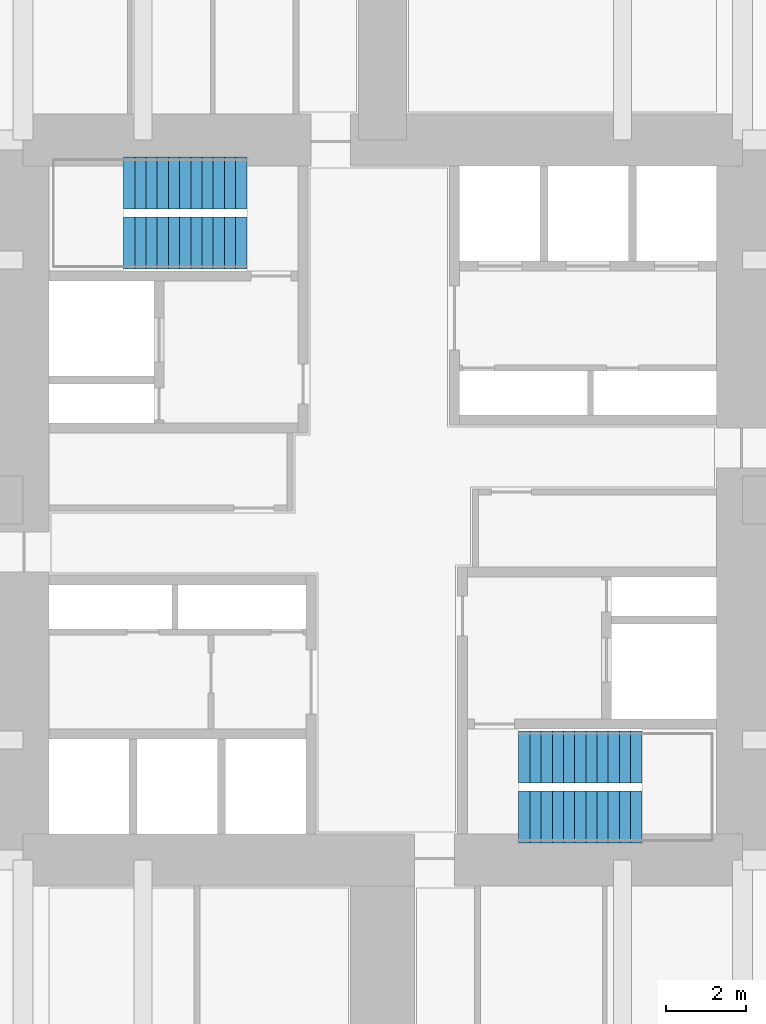
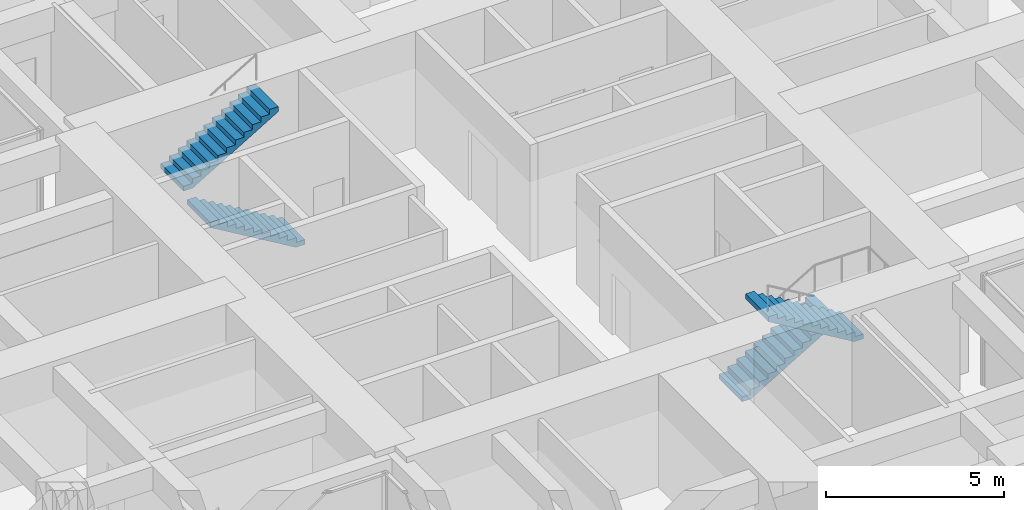
# One storey, part 12 of 13: 4 stair flights, 2 elements without a shape of their own.
"""IFC4 building model written with IfcOpenShell, lengths in metres."""

from ifc_helpers import new_model, si_unit, direction, frame, origin, place, context, subcontext, project, spatial, polyline, outline, extrude, material, type_object, element, aggregate, save


model = new_model("IFC4")

# Units and contexts
model_context = context("Model", 3, precision=1e-05, world=origin(), true_north=direction((0.0, 1.0)))
body_context = subcontext(model_context, "Body", "Model", "MODEL_VIEW")
ifc_project = project(units=[si_unit("LENGTHUNIT", "METRE"), si_unit("AREAUNIT", "SQUARE_METRE"), si_unit("VOLUMEUNIT", "CUBIC_METRE"), si_unit("PLANEANGLEUNIT", "RADIAN"), si_unit("MASSUNIT", "GRAM", prefix="KILO")], contexts=[model_context])

# Site, building, storey
site_placement = place(None, origin())
site = spatial("IfcSite", under=ifc_project, at=site_placement, CompositionType="ELEMENT")
building_placement = place(site_placement, origin())
building = spatial("IfcBuilding", under=site, at=building_placement, Name="Torre Cruceta", CompositionType="ELEMENT")
storey_placement = place(building_placement, frame((0.0, 0.0, 51.5)))
storey = spatial("IfcBuildingStorey", under=building, at=storey_placement, Name="L12", CompositionType="ELEMENT", Elevation=51.5)

# Stair, stair flights
ifc_material_1 = material(Name="Concrete G30 (fck 30 MPa)", Category="concrete")
stair_type = type_object("IfcStairType", Name="STAIR HALF-TURN 1300", PredefinedType="HALF_TURN_STAIR", material=ifc_material_1)
stair_1_placement = place(storey_placement, origin())
stair_1 = element("IfcStair", 1, at=stair_1_placement, inside=storey, type_object=stair_type, Name="Stair ST1 L12", PredefinedType="HALF_TURN_STAIR")
ifc_material_2 = material(Name="Concrete G30 (fck 30 MPa)", Category="concrete")
stair_flight_type = type_object("IfcStairFlightType", Name="STAIR FLIGHT 1300", PredefinedType="STRAIGHT", material=ifc_material_2)
stair_flight_1_placement = place(storey_placement, frame((-3.39990234375, 6.425048828125, 0.0), z_axis=(0.0, 0.0, 1.0), x_axis=(-1.0, 0.0, 0.0)))
stair_flight_1 = element("IfcStairFlight", 2, at=stair_flight_1_placement, type_object=stair_flight_type, Name="ST1 flight 1", NumberOfRisers=12, NumberOfTreads=11, PredefinedType="STRAIGHT", RiserHeight=0.166666667, TreadLength=0.28, context=body_context, shape_type="SweptSolid", body=[
    extrude(outline(polyline([(0.0, 0.0), (0.0, 0.166748046875), (0.280029296875, 0.166748046875), (0.280029296875, 0.333251953125), (0.56005859375, 0.333251953125), (0.56005859375, 0.5), (0.840087890625, 0.5), (0.840087890625, 0.666748046875), (1.1201171875, 0.666748046875), (1.1201171875, 0.833251953125), (1.39990234375, 0.833251953125), (1.39990234375, 1.0), (1.679931640625, 1.0), (1.679931640625, 1.166748046875), (1.9599609375, 1.166748046875), (1.9599609375, 1.333251953125), (2.239990234375, 1.333251953125), (2.239990234375, 1.5), (2.52001953125, 1.5), (2.52001953125, 1.666748046875), (2.800048828125, 1.666748046875), (2.800048828125, 1.833251953125), (3.080078125, 1.833251953125), (3.080078125, 2.0), (3.080078125, 1.658935546875), (0.29296875, 0.0), (0.0, 0.0)])), frame((0.0, 0.64990234375, 0.0), z_axis=(0.0, -1.0, 0.0), x_axis=(1.0, 0.0, 0.0)), (0.0, 0.0, 1.0), 1.300048828125),
])
stair_flight_2_placement = place(storey_placement, frame((-6.47998046875, 7.925048828125, 2.0), z_axis=(0.0, 0.0, 1.0), x_axis=(1.0, 0.0, 0.0)))
stair_flight_2 = element("IfcStairFlight", 3, at=stair_flight_2_placement, type_object=stair_flight_type, Name="ST1 flight 2", NumberOfRisers=12, NumberOfTreads=11, PredefinedType="STRAIGHT", RiserHeight=0.166666667, TreadLength=0.28, context=body_context, shape_type="SweptSolid", body=[
    extrude(outline(polyline([(0.0, 0.0), (0.0, 0.166748046875), (0.280029296875, 0.166748046875), (0.280029296875, 0.333251953125), (0.56005859375, 0.333251953125), (0.56005859375, 0.5), (0.840087890625, 0.5), (0.840087890625, 0.666748046875), (1.1201171875, 0.666748046875), (1.1201171875, 0.833251953125), (1.39990234375, 0.833251953125), (1.39990234375, 1.0), (1.679931640625, 1.0), (1.679931640625, 1.166748046875), (1.9599609375, 1.166748046875), (1.9599609375, 1.333251953125), (2.239990234375, 1.333251953125), (2.239990234375, 1.5), (2.52001953125, 1.5), (2.52001953125, 1.666748046875), (2.800048828125, 1.666748046875), (2.800048828125, 1.833251953125), (3.080078125, 1.833251953125), (3.080078125, 2.0), (3.080078125, 1.658935546875), (0.29296875, 0.0), (0.0, 0.0)])), frame((0.0, 0.64990234375, 0.0), z_axis=(0.0, -1.0, 0.0), x_axis=(1.0, 0.0, 0.0)), (0.0, 0.0, 1.0), 1.300048828125),
])
aggregate(stair_1, [stair_flight_1, stair_flight_2])

stair_2_placement = place(storey_placement, origin())
stair_2 = element("IfcStair", 4, at=stair_2_placement, inside=storey, type_object=stair_type, Name="Stair ST2 L12", PredefinedType="HALF_TURN_STAIR")
stair_flight_3_placement = place(storey_placement, frame((3.39990234375, -6.425048828125, 0.0), z_axis=(0.0, 0.0, 1.0), x_axis=(1.0, 0.0, 0.0)))
stair_flight_3 = element("IfcStairFlight", 5, at=stair_flight_3_placement, type_object=stair_flight_type, Name="ST2 flight 1", NumberOfRisers=12, NumberOfTreads=11, PredefinedType="STRAIGHT", RiserHeight=0.166666667, TreadLength=0.28, context=body_context, shape_type="SweptSolid", body=[
    extrude(outline(polyline([(0.0, 0.0), (0.0, 0.166748046875), (0.280029296875, 0.166748046875), (0.280029296875, 0.333251953125), (0.56005859375, 0.333251953125), (0.56005859375, 0.5), (0.840087890625, 0.5), (0.840087890625, 0.666748046875), (1.1201171875, 0.666748046875), (1.1201171875, 0.833251953125), (1.39990234375, 0.833251953125), (1.39990234375, 1.0), (1.679931640625, 1.0), (1.679931640625, 1.166748046875), (1.9599609375, 1.166748046875), (1.9599609375, 1.333251953125), (2.239990234375, 1.333251953125), (2.239990234375, 1.5), (2.52001953125, 1.5), (2.52001953125, 1.666748046875), (2.800048828125, 1.666748046875), (2.800048828125, 1.833251953125), (3.080078125, 1.833251953125), (3.080078125, 2.0), (3.080078125, 1.658935546875), (0.29296875, 0.0), (0.0, 0.0)])), frame((0.0, 0.64990234375, 0.0), z_axis=(0.0, -1.0, 0.0), x_axis=(1.0, 0.0, 0.0)), (0.0, 0.0, 1.0), 1.300048828125),
])
stair_flight_4_placement = place(storey_placement, frame((6.47998046875, -7.925048828125, 2.0), z_axis=(0.0, 0.0, 1.0), x_axis=(-1.0, 0.0, 0.0)))
stair_flight_4 = element("IfcStairFlight", 6, at=stair_flight_4_placement, type_object=stair_flight_type, Name="ST2 flight 2", NumberOfRisers=12, NumberOfTreads=11, PredefinedType="STRAIGHT", RiserHeight=0.166666667, TreadLength=0.28, context=body_context, shape_type="SweptSolid", body=[
    extrude(outline(polyline([(0.0, 0.0), (0.0, 0.166748046875), (0.280029296875, 0.166748046875), (0.280029296875, 0.333251953125), (0.56005859375, 0.333251953125), (0.56005859375, 0.5), (0.840087890625, 0.5), (0.840087890625, 0.666748046875), (1.1201171875, 0.666748046875), (1.1201171875, 0.833251953125), (1.39990234375, 0.833251953125), (1.39990234375, 1.0), (1.679931640625, 1.0), (1.679931640625, 1.166748046875), (1.9599609375, 1.166748046875), (1.9599609375, 1.333251953125), (2.239990234375, 1.333251953125), (2.239990234375, 1.5), (2.52001953125, 1.5), (2.52001953125, 1.666748046875), (2.800048828125, 1.666748046875), (2.800048828125, 1.833251953125), (3.080078125, 1.833251953125), (3.080078125, 2.0), (3.080078125, 1.658935546875), (0.29296875, 0.0), (0.0, 0.0)])), frame((0.0, 0.64990234375, 0.0), z_axis=(0.0, -1.0, 0.0), x_axis=(1.0, 0.0, 0.0)), (0.0, 0.0, 1.0), 1.300048828125),
])
aggregate(stair_2, [stair_flight_3, stair_flight_4])

save(model, "model.ifc")
